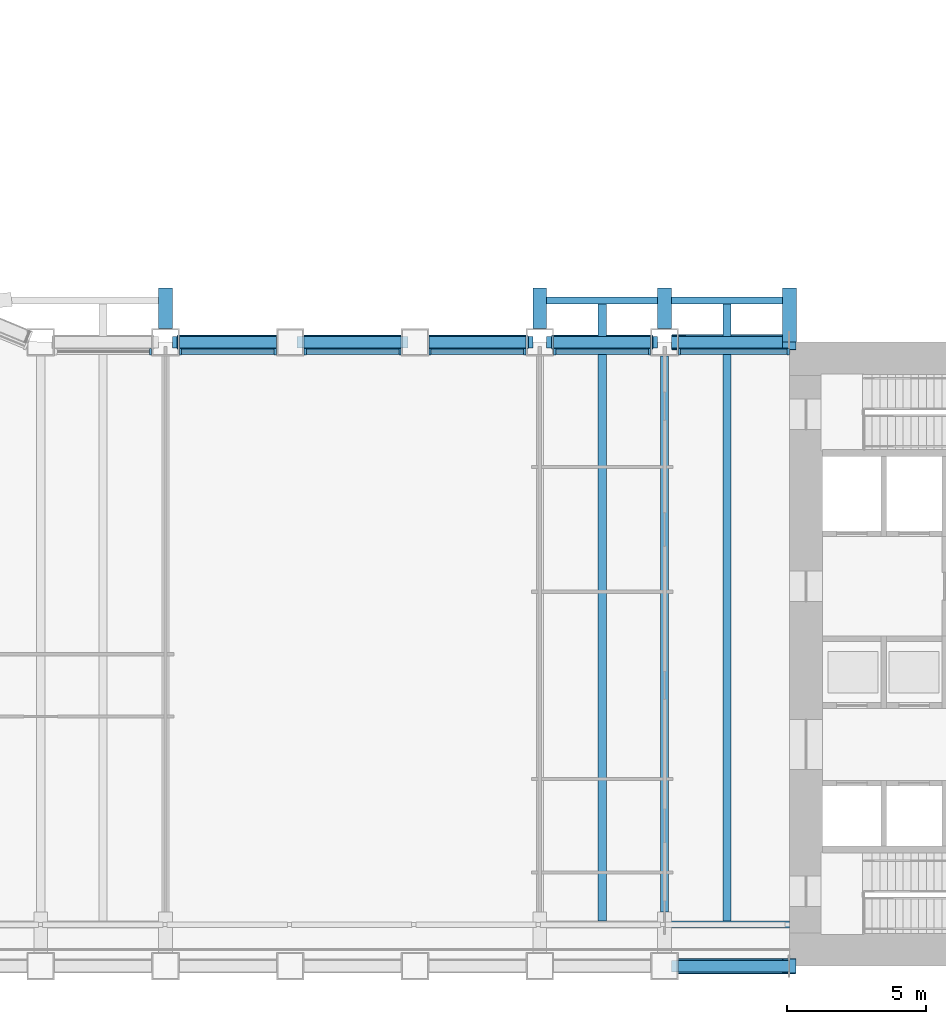
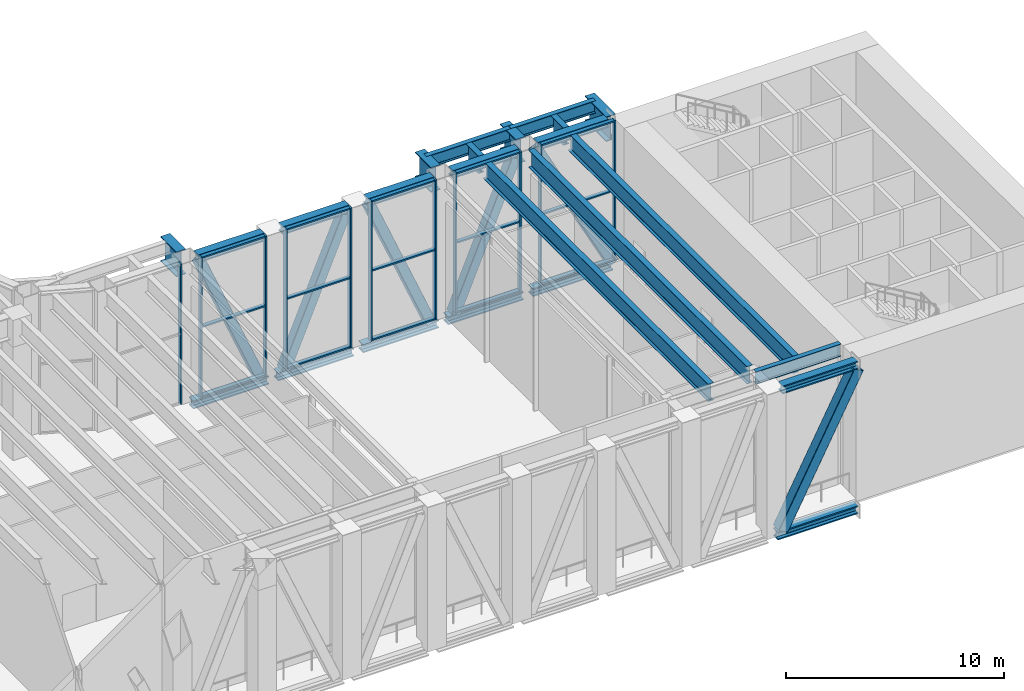
# One storey, part 3 of 21: 44 members, 12 beams, 6 elements without a shape of their own.
"""IFC4 building model written with IfcOpenShell, lengths in metres."""

from ifc_helpers import new_model, si_unit, direction, frame, origin, origin_2d, place, context, subcontext, project, spatial, rectangle, hollow_rectangle, i_section, extrude, material, material_profile, profile_set, type_object, element, aggregate, save


model = new_model("IFC4")

# Units and contexts
model_context = context("Model", 3, precision=1e-05, world=origin(), true_north=direction((0.0, 1.0)))
body_context = subcontext(model_context, "Body", "Model", "MODEL_VIEW")
ifc_project = project(units=[si_unit("LENGTHUNIT", "METRE"), si_unit("AREAUNIT", "SQUARE_METRE"), si_unit("VOLUMEUNIT", "CUBIC_METRE"), si_unit("PLANEANGLEUNIT", "RADIAN"), si_unit("MASSUNIT", "GRAM", prefix="KILO")], contexts=[model_context])

# Site, building, storey
site_placement = place(None, origin())
site = spatial("IfcSite", under=ifc_project, at=site_placement, CompositionType="ELEMENT")
building_placement = place(site_placement, origin())
building = spatial("IfcBuilding", under=site, at=building_placement, Name="Sennacour Bend Tower", CompositionType="ELEMENT")
storey_placement = place(building_placement, frame((0.0, 0.0, 131.0)))
storey = spatial("IfcBuildingStorey", under=building, at=storey_placement, Name="L30", CompositionType="ELEMENT", Elevation=131.0)

# Members
ifc_material_1 = material(Name="Steel ASTM A992 Grade 50", Category="steel")
ifc_material_profile_1 = material_profile(ifc_material_1, i_section(OverallWidth=0.4189453125, OverallDepth=0.455078125, WebThickness=0.042236328125, FlangeThickness=0.067626953125, FilletRadius=0.01513671875, at=origin_2d()), Name="Steel ASTM A992 Grade 50", Category="steel")
ifc_profile_set_1 = profile_set([ifc_material_profile_1], Name="Steel ASTM A992 Grade 50")
member_type_1 = type_object("IfcMemberType", Name="Belt truss chord W360X551", PredefinedType="CHORD", material=ifc_profile_set_1)
for number, where, z_axis, x_axis, name in (
    (1, (31.75, 22.5, -0.4775390625), (1.0, 0.0, 0.0), (0.0, 1.0, 0.0), "Belt truss chord BC L30-009"),
    (2, (36.25, 22.5, -0.4775390625), (1.0, 0.0, 0.0), (0.0, 1.0, 0.0), "Belt truss chord BC L30-010"),
    (3, (40.75, 22.5, -0.4775390625), (1.0, 0.0, 0.0), (0.0, 1.0, 0.0), "Belt truss chord BC L30-011"),
    (4, (45.25, 22.5, -0.4775390625), (1.0, 0.0, 0.0), (0.0, 1.0, 0.0), "Belt truss chord BC L30-012"),
):
    element("IfcMember", number, at=place(storey_placement, frame(where, z_axis=z_axis, x_axis=x_axis)), inside=storey, type_object=member_type_1, Name=name, PredefinedType="CHORD", context=body_context, shape_type="SweptSolid", body=[
        extrude(i_section(OverallWidth=0.4189453125, OverallDepth=0.455078125, WebThickness=0.042236328125, FlangeThickness=0.067626953125, FilletRadius=0.01513671875, at=origin_2d()), origin(), (0.0, 0.0, 1.0), 4.0),
    ])
for number, where, z_axis, x_axis, name in (
    (5, (49.75, 22.5, -0.4775390625), (1.0, 0.0, 0.0), (0.0, 1.0, 0.0), "Belt truss chord BC L30-013"),
    (6, (54.0, 0.0, -0.4775390625), (-1.0, 0.0, 0.0), (0.0, -1.0, 0.0), "Belt truss chord BC L30-014"),
):
    element("IfcMember", number, at=place(storey_placement, frame(where, z_axis=z_axis, x_axis=x_axis)), inside=storey, type_object=member_type_1, Name=name, PredefinedType="CHORD", context=body_context, shape_type="SweptSolid", body=[
        extrude(i_section(OverallWidth=0.4189453125, OverallDepth=0.455078125, WebThickness=0.042236328125, FlangeThickness=0.067626953125, FilletRadius=0.01513671875, at=origin_2d()), origin(), (0.0, 0.0, 1.0), 4.25),
    ])
for number, where, z_axis, x_axis, name in (
    (7, (32.0, 22.5, 7.62255859375), (1.0, 0.0, 0.0), (0.0, 1.0, 0.0), "Belt truss chord BC L30-009"),
    (8, (36.5, 22.5, 7.62255859375), (1.0, 0.0, 0.0), (0.0, 1.0, 0.0), "Belt truss chord BC L30-010"),
    (9, (41.0, 22.5, 7.62255859375), (1.0, 0.0, 0.0), (0.0, 1.0, 0.0), "Belt truss chord BC L30-011"),
    (10, (45.5, 22.5, 7.62255859375), (1.0, 0.0, 0.0), (0.0, 1.0, 0.0), "Belt truss chord BC L30-012"),
):
    element("IfcMember", number, at=place(storey_placement, frame(where, z_axis=z_axis, x_axis=x_axis)), inside=storey, type_object=member_type_1, Name=name, PredefinedType="CHORD", context=body_context, shape_type="SweptSolid", body=[
        extrude(i_section(OverallWidth=0.4189453125, OverallDepth=0.455078125, WebThickness=0.042236328125, FlangeThickness=0.067626953125, FilletRadius=0.01513671875, at=origin_2d()), origin(), (0.0, 0.0, 1.0), 3.5),
    ])
member_1_placement = place(storey_placement, frame((50.0, 22.5, 7.62255859375), z_axis=(1.0, 0.0, 0.0), x_axis=(0.0, 1.0, 0.0)))
element("IfcMember", 11, at=member_1_placement, inside=storey, type_object=member_type_1, Name="Belt truss chord BC L30-013", PredefinedType="CHORD", context=body_context, shape_type="SweptSolid", body=[
    extrude(i_section(OverallWidth=0.4189453125, OverallDepth=0.455078125, WebThickness=0.042236328125, FlangeThickness=0.067626953125, FilletRadius=0.01513671875, at=origin_2d()), origin(), (0.0, 0.0, 1.0), 3.75),
])
member_2_placement = place(storey_placement, frame((54.0, 0.0, 7.62255859375), z_axis=(-1.0, 0.0, 0.0), x_axis=(0.0, -1.0, 0.0)))
element("IfcMember", 12, at=member_2_placement, inside=storey, type_object=member_type_1, Name="Belt truss chord BC L30-014", PredefinedType="CHORD", context=body_context, shape_type="SweptSolid", body=[
    extrude(i_section(OverallWidth=0.4189453125, OverallDepth=0.455078125, WebThickness=0.042236328125, FlangeThickness=0.067626953125, FilletRadius=0.01513671875, at=origin_2d()), origin(), (0.0, 0.0, 1.0), 4.0),
])
ifc_material_2 = material(Name="Steel ASTM A500 Grade C", Category="steel")
ifc_material_profile_2 = material_profile(ifc_material_2, hollow_rectangle(XDim=0.508056640625, YDim=0.508056640625, WallThickness=0.01904296875, InnerFilletRadius=0.01904296875, OuterFilletRadius=0.0380859375, at=origin_2d()), Name="Steel ASTM A500 Grade C", Category="steel")
ifc_profile_set_2 = profile_set([ifc_material_profile_2], Name="Steel ASTM A500 Grade C")
member_type_2 = type_object("IfcMemberType", Name="Belt truss diagonal 508", PredefinedType="BRACE", material=ifc_profile_set_2)
for number, where, z_axis, x_axis, name in (
    (13, (32.14990234375, 22.5, 7.39501953125), (0.386133424753, 0.0, -0.922442940397), (0.0, 1.0, 0.0), "Belt truss diagonal BD L30-007"),
    (14, (36.64990234375, 22.5, -0.25), (0.386133424753, 0.0, 0.922442940397), (0.0, 1.0, 0.0), "Belt truss diagonal BD L30-008"),
    (15, (41.14990234375, 22.5, 7.39501953125), (0.386133424753, 0.0, -0.922442940397), (0.0, 1.0, 0.0), "Belt truss diagonal BD L30-009"),
    (16, (45.64990234375, 22.5, -0.25), (0.386133424753, 0.0, 0.922442940397), (0.0, 1.0, 0.0), "Belt truss diagonal BD L30-010"),
):
    element("IfcMember", number, at=place(storey_placement, frame(where, z_axis=z_axis, x_axis=x_axis)), inside=storey, type_object=member_type_2, Name=name, PredefinedType="BRACE", context=body_context, shape_type="SweptSolid", body=[
        extrude(hollow_rectangle(XDim=0.508056640625, YDim=0.508056640625, WallThickness=0.01904296875, InnerFilletRadius=0.01904296875, OuterFilletRadius=0.0380859375, at=origin_2d()), origin(), (0.0, 0.0, 1.0), 8.287841796875),
    ])

# Curtain wall, member
ifc_material_3 = material(Name="Bronze anodised aluminium curtain wall with clear glass", Category="aluminium")
curtain_wall_type = type_object("IfcCurtainWallType", Name="CURTAIN WALL GARDEN", PredefinedType="NOTDEFINED", material=ifc_material_3)
curtain_wall_1_placement = place(storey_placement, origin())
curtain_wall_1 = element("IfcCurtainWall", 17, at=curtain_wall_1_placement, inside=storey, type_object=curtain_wall_type, Name="Sky garden glass wall L30", PredefinedType="NOTDEFINED")
ifc_material_4 = material(Name="Aluminium 6063-T6", Category="aluminium")
ifc_material_profile_3 = material_profile(ifc_material_4, rectangle(XDim=0.25, YDim=0.080078125, at=origin_2d()), Name="Aluminium 6063-T6", Category="aluminium")
ifc_profile_set_3 = profile_set([ifc_material_profile_3], Name="Aluminium 6063-T6")
member_type_3 = type_object("IfcMemberType", Name="CW-MULLION-250X80", PredefinedType="MULLION", material=ifc_profile_set_3)
member_3_placement = place(storey_placement, frame((30.9599609375, 22.156005859375, 0.0), z_axis=(0.0, 0.0, 1.0), x_axis=(0.0, 1.0, 0.0)))
member_3 = element("IfcMember", 18, at=member_3_placement, type_object=member_type_3, Name="GW6 curtain wall mullion 2", PredefinedType="MULLION", context=body_context, shape_type="SweptSolid", body=[
    extrude(rectangle(XDim=0.25, YDim=0.080078125, at=origin_2d()), origin(), (0.0, 0.0, 1.0), 7.85009765625),
])
aggregate(curtain_wall_1, [member_3])

# Curtain wall, members
curtain_wall_2_placement = place(storey_placement, origin())
curtain_wall_2 = element("IfcCurtainWall", 19, at=curtain_wall_2_placement, inside=storey, type_object=curtain_wall_type, Name="Sky garden glass wall L30", PredefinedType="NOTDEFINED")
member_4_placement = place(storey_placement, frame((32.0400390625, 22.156005859375, 0.0), z_axis=(0.0, 0.0, 1.0), x_axis=(0.0, 1.0, 0.0)))
member_4 = element("IfcMember", 20, at=member_4_placement, type_object=member_type_3, Name="GW6 curtain wall mullion 1", PredefinedType="MULLION", context=body_context, shape_type="SweptSolid", body=[
    extrude(rectangle(XDim=0.25, YDim=0.080078125, at=origin_2d()), origin(), (0.0, 0.0, 1.0), 7.85009765625),
])
member_5_placement = place(storey_placement, frame((35.4599609375, 22.156005859375, 0.0), z_axis=(0.0, 0.0, 1.0), x_axis=(0.0, 1.0, 0.0)))
member_5 = element("IfcMember", 21, at=member_5_placement, type_object=member_type_3, Name="GW6 curtain wall mullion 2", PredefinedType="MULLION", context=body_context, shape_type="SweptSolid", body=[
    extrude(rectangle(XDim=0.25, YDim=0.080078125, at=origin_2d()), origin(), (0.0, 0.0, 1.0), 7.85009765625),
])

curtain_wall_3_placement = place(storey_placement, origin())
curtain_wall_3 = element("IfcCurtainWall", 22, at=curtain_wall_3_placement, inside=storey, type_object=curtain_wall_type, Name="Sky garden glass wall L30", PredefinedType="NOTDEFINED")
member_6_placement = place(storey_placement, frame((36.5400390625, 22.156005859375, 0.0), z_axis=(0.0, 0.0, 1.0), x_axis=(0.0, 1.0, 0.0)))
member_6 = element("IfcMember", 23, at=member_6_placement, type_object=member_type_3, Name="GW6 curtain wall mullion 1", PredefinedType="MULLION", context=body_context, shape_type="SweptSolid", body=[
    extrude(rectangle(XDim=0.25, YDim=0.080078125, at=origin_2d()), origin(), (0.0, 0.0, 1.0), 7.85009765625),
])
member_7_placement = place(storey_placement, frame((39.9599609375, 22.156005859375, 0.0), z_axis=(0.0, 0.0, 1.0), x_axis=(0.0, 1.0, 0.0)))
member_7 = element("IfcMember", 24, at=member_7_placement, type_object=member_type_3, Name="GW6 curtain wall mullion 2", PredefinedType="MULLION", context=body_context, shape_type="SweptSolid", body=[
    extrude(rectangle(XDim=0.25, YDim=0.080078125, at=origin_2d()), origin(), (0.0, 0.0, 1.0), 7.85009765625),
])

curtain_wall_4_placement = place(storey_placement, origin())
curtain_wall_4 = element("IfcCurtainWall", 25, at=curtain_wall_4_placement, inside=storey, type_object=curtain_wall_type, Name="Sky garden glass wall L30", PredefinedType="NOTDEFINED")
member_8_placement = place(storey_placement, frame((41.0400390625, 22.156005859375, 0.0), z_axis=(0.0, 0.0, 1.0), x_axis=(0.0, 1.0, 0.0)))
member_8 = element("IfcMember", 26, at=member_8_placement, type_object=member_type_3, Name="GW6 curtain wall mullion 1", PredefinedType="MULLION", context=body_context, shape_type="SweptSolid", body=[
    extrude(rectangle(XDim=0.25, YDim=0.080078125, at=origin_2d()), origin(), (0.0, 0.0, 1.0), 7.85009765625),
])
member_9_placement = place(storey_placement, frame((44.4599609375, 22.156005859375, 0.0), z_axis=(0.0, 0.0, 1.0), x_axis=(0.0, 1.0, 0.0)))
member_9 = element("IfcMember", 27, at=member_9_placement, type_object=member_type_3, Name="GW6 curtain wall mullion 2", PredefinedType="MULLION", context=body_context, shape_type="SweptSolid", body=[
    extrude(rectangle(XDim=0.25, YDim=0.080078125, at=origin_2d()), origin(), (0.0, 0.0, 1.0), 7.85009765625),
])

curtain_wall_5_placement = place(storey_placement, origin())
curtain_wall_5 = element("IfcCurtainWall", 28, at=curtain_wall_5_placement, inside=storey, type_object=curtain_wall_type, Name="Sky garden glass wall L30", PredefinedType="NOTDEFINED")
member_10_placement = place(storey_placement, frame((45.5400390625, 22.156005859375, 0.0), z_axis=(0.0, 0.0, 1.0), x_axis=(0.0, 1.0, 0.0)))
member_10 = element("IfcMember", 29, at=member_10_placement, type_object=member_type_3, Name="GW6 curtain wall mullion 1", PredefinedType="MULLION", context=body_context, shape_type="SweptSolid", body=[
    extrude(rectangle(XDim=0.25, YDim=0.080078125, at=origin_2d()), origin(), (0.0, 0.0, 1.0), 7.85009765625),
])
member_11_placement = place(storey_placement, frame((48.9599609375, 22.156005859375, 0.0), z_axis=(0.0, 0.0, 1.0), x_axis=(0.0, 1.0, 0.0)))
member_11 = element("IfcMember", 30, at=member_11_placement, type_object=member_type_3, Name="GW6 curtain wall mullion 2", PredefinedType="MULLION", context=body_context, shape_type="SweptSolid", body=[
    extrude(rectangle(XDim=0.25, YDim=0.080078125, at=origin_2d()), origin(), (0.0, 0.0, 1.0), 7.85009765625),
])

curtain_wall_6_placement = place(storey_placement, origin())
curtain_wall_6 = element("IfcCurtainWall", 31, at=curtain_wall_6_placement, inside=storey, type_object=curtain_wall_type, Name="Sky garden glass wall L30", PredefinedType="NOTDEFINED")
member_12_placement = place(storey_placement, frame((50.0400390625, 22.156005859375, 0.0), z_axis=(0.0, 0.0, 1.0), x_axis=(0.0, 1.0, 0.0)))
member_12 = element("IfcMember", 32, at=member_12_placement, type_object=member_type_3, Name="GW6 curtain wall mullion 1", PredefinedType="MULLION", context=body_context, shape_type="SweptSolid", body=[
    extrude(rectangle(XDim=0.25, YDim=0.080078125, at=origin_2d()), origin(), (0.0, 0.0, 1.0), 7.85009765625),
])
member_13_placement = place(storey_placement, frame((53.958984375, 22.156005859375, 0.0), z_axis=(0.0, 0.0, 1.0), x_axis=(0.0, 1.0, 0.0)))
member_13 = element("IfcMember", 33, at=member_13_placement, type_object=member_type_3, Name="GW6 curtain wall mullion 2", PredefinedType="MULLION", context=body_context, shape_type="SweptSolid", body=[
    extrude(rectangle(XDim=0.25, YDim=0.080078125, at=origin_2d()), origin(), (0.0, 0.0, 1.0), 7.85009765625),
])

# Member
ifc_material_profile_4 = material_profile(ifc_material_4, rectangle(XDim=0.199951171875, YDim=0.080078125, at=origin_2d()), Name="Aluminium 6063-T6", Category="aluminium")
ifc_profile_set_4 = profile_set([ifc_material_profile_4], Name="Aluminium 6063-T6")
member_type_4 = type_object("IfcMemberType", Name="CW-TRANSOM-200X80", PredefinedType="USERDEFINED", material=ifc_profile_set_4)
member_14_placement = place(storey_placement, frame((32.080078125, 22.156005859375, 0.0400390625), z_axis=(1.0, 0.0, 0.0), x_axis=(0.0, 1.0, 0.0)))
member_14 = element("IfcMember", 34, at=member_14_placement, type_object=member_type_4, Name="GW6 curtain wall transom 1.1", ObjectType="TRANSOM", PredefinedType="USERDEFINED", context=body_context, shape_type="SweptSolid", body=[
    extrude(rectangle(XDim=0.199951171875, YDim=0.080078125, at=origin_2d()), origin(), (0.0, 0.0, 1.0), 3.33984375),
])

member_15_placement = place(storey_placement, frame((32.080078125, 22.156005859375, 3.925048828125), z_axis=(1.0, 0.0, 0.0), x_axis=(0.0, 1.0, 0.0)))
member_15 = element("IfcMember", 35, at=member_15_placement, type_object=member_type_4, Name="GW6 curtain wall transom 1.2", ObjectType="TRANSOM", PredefinedType="USERDEFINED", context=body_context, shape_type="SweptSolid", body=[
    extrude(rectangle(XDim=0.199951171875, YDim=0.080078125, at=origin_2d()), origin(), (0.0, 0.0, 1.0), 3.33984375),
])

member_16_placement = place(storey_placement, frame((32.080078125, 22.156005859375, 7.81005859375), z_axis=(1.0, 0.0, 0.0), x_axis=(0.0, 1.0, 0.0)))
member_16 = element("IfcMember", 36, at=member_16_placement, type_object=member_type_4, Name="GW6 curtain wall transom 1.3", ObjectType="TRANSOM", PredefinedType="USERDEFINED", context=body_context, shape_type="SweptSolid", body=[
    extrude(rectangle(XDim=0.199951171875, YDim=0.080078125, at=origin_2d()), origin(), (0.0, 0.0, 1.0), 3.33984375),
])

aggregate(curtain_wall_2, [member_4, member_5, member_14, member_15, member_16])

member_17_placement = place(storey_placement, frame((36.580078125, 22.156005859375, 0.0400390625), z_axis=(1.0, 0.0, 0.0), x_axis=(0.0, 1.0, 0.0)))
member_17 = element("IfcMember", 37, at=member_17_placement, type_object=member_type_4, Name="GW6 curtain wall transom 1.1", ObjectType="TRANSOM", PredefinedType="USERDEFINED", context=body_context, shape_type="SweptSolid", body=[
    extrude(rectangle(XDim=0.199951171875, YDim=0.080078125, at=origin_2d()), origin(), (0.0, 0.0, 1.0), 3.33984375),
])

member_18_placement = place(storey_placement, frame((36.580078125, 22.156005859375, 3.925048828125), z_axis=(1.0, 0.0, 0.0), x_axis=(0.0, 1.0, 0.0)))
member_18 = element("IfcMember", 38, at=member_18_placement, type_object=member_type_4, Name="GW6 curtain wall transom 1.2", ObjectType="TRANSOM", PredefinedType="USERDEFINED", context=body_context, shape_type="SweptSolid", body=[
    extrude(rectangle(XDim=0.199951171875, YDim=0.080078125, at=origin_2d()), origin(), (0.0, 0.0, 1.0), 3.33984375),
])

member_19_placement = place(storey_placement, frame((36.580078125, 22.156005859375, 7.81005859375), z_axis=(1.0, 0.0, 0.0), x_axis=(0.0, 1.0, 0.0)))
member_19 = element("IfcMember", 39, at=member_19_placement, type_object=member_type_4, Name="GW6 curtain wall transom 1.3", ObjectType="TRANSOM", PredefinedType="USERDEFINED", context=body_context, shape_type="SweptSolid", body=[
    extrude(rectangle(XDim=0.199951171875, YDim=0.080078125, at=origin_2d()), origin(), (0.0, 0.0, 1.0), 3.33984375),
])

aggregate(curtain_wall_3, [member_6, member_7, member_17, member_18, member_19])

member_20_placement = place(storey_placement, frame((41.080078125, 22.156005859375, 0.0400390625), z_axis=(1.0, 0.0, 0.0), x_axis=(0.0, 1.0, 0.0)))
member_20 = element("IfcMember", 40, at=member_20_placement, type_object=member_type_4, Name="GW6 curtain wall transom 1.1", ObjectType="TRANSOM", PredefinedType="USERDEFINED", context=body_context, shape_type="SweptSolid", body=[
    extrude(rectangle(XDim=0.199951171875, YDim=0.080078125, at=origin_2d()), origin(), (0.0, 0.0, 1.0), 3.33984375),
])

member_21_placement = place(storey_placement, frame((41.080078125, 22.156005859375, 3.925048828125), z_axis=(1.0, 0.0, 0.0), x_axis=(0.0, 1.0, 0.0)))
member_21 = element("IfcMember", 41, at=member_21_placement, type_object=member_type_4, Name="GW6 curtain wall transom 1.2", ObjectType="TRANSOM", PredefinedType="USERDEFINED", context=body_context, shape_type="SweptSolid", body=[
    extrude(rectangle(XDim=0.199951171875, YDim=0.080078125, at=origin_2d()), origin(), (0.0, 0.0, 1.0), 3.33984375),
])

member_22_placement = place(storey_placement, frame((41.080078125, 22.156005859375, 7.81005859375), z_axis=(1.0, 0.0, 0.0), x_axis=(0.0, 1.0, 0.0)))
member_22 = element("IfcMember", 42, at=member_22_placement, type_object=member_type_4, Name="GW6 curtain wall transom 1.3", ObjectType="TRANSOM", PredefinedType="USERDEFINED", context=body_context, shape_type="SweptSolid", body=[
    extrude(rectangle(XDim=0.199951171875, YDim=0.080078125, at=origin_2d()), origin(), (0.0, 0.0, 1.0), 3.33984375),
])

aggregate(curtain_wall_4, [member_8, member_9, member_20, member_21, member_22])

member_23_placement = place(storey_placement, frame((45.580078125, 22.156005859375, 0.0400390625), z_axis=(1.0, 0.0, 0.0), x_axis=(0.0, 1.0, 0.0)))
member_23 = element("IfcMember", 43, at=member_23_placement, type_object=member_type_4, Name="GW6 curtain wall transom 1.1", ObjectType="TRANSOM", PredefinedType="USERDEFINED", context=body_context, shape_type="SweptSolid", body=[
    extrude(rectangle(XDim=0.199951171875, YDim=0.080078125, at=origin_2d()), origin(), (0.0, 0.0, 1.0), 3.33984375),
])

member_24_placement = place(storey_placement, frame((45.580078125, 22.156005859375, 3.925048828125), z_axis=(1.0, 0.0, 0.0), x_axis=(0.0, 1.0, 0.0)))
member_24 = element("IfcMember", 44, at=member_24_placement, type_object=member_type_4, Name="GW6 curtain wall transom 1.2", ObjectType="TRANSOM", PredefinedType="USERDEFINED", context=body_context, shape_type="SweptSolid", body=[
    extrude(rectangle(XDim=0.199951171875, YDim=0.080078125, at=origin_2d()), origin(), (0.0, 0.0, 1.0), 3.33984375),
])

member_25_placement = place(storey_placement, frame((45.580078125, 22.156005859375, 7.81005859375), z_axis=(1.0, 0.0, 0.0), x_axis=(0.0, 1.0, 0.0)))
member_25 = element("IfcMember", 45, at=member_25_placement, type_object=member_type_4, Name="GW6 curtain wall transom 1.3", ObjectType="TRANSOM", PredefinedType="USERDEFINED", context=body_context, shape_type="SweptSolid", body=[
    extrude(rectangle(XDim=0.199951171875, YDim=0.080078125, at=origin_2d()), origin(), (0.0, 0.0, 1.0), 3.33984375),
])

aggregate(curtain_wall_5, [member_10, member_11, member_23, member_24, member_25])

member_26_placement = place(storey_placement, frame((50.080078125, 22.156005859375, 0.0400390625), z_axis=(1.0, 0.0, 0.0), x_axis=(0.0, 1.0, 0.0)))
member_26 = element("IfcMember", 46, at=member_26_placement, type_object=member_type_4, Name="GW6 curtain wall transom 1.1", ObjectType="TRANSOM", PredefinedType="USERDEFINED", context=body_context, shape_type="SweptSolid", body=[
    extrude(rectangle(XDim=0.199951171875, YDim=0.080078125, at=origin_2d()), origin(), (0.0, 0.0, 1.0), 3.8388671875),
])

member_27_placement = place(storey_placement, frame((50.080078125, 22.156005859375, 3.925048828125), z_axis=(1.0, 0.0, 0.0), x_axis=(0.0, 1.0, 0.0)))
member_27 = element("IfcMember", 47, at=member_27_placement, type_object=member_type_4, Name="GW6 curtain wall transom 1.2", ObjectType="TRANSOM", PredefinedType="USERDEFINED", context=body_context, shape_type="SweptSolid", body=[
    extrude(rectangle(XDim=0.199951171875, YDim=0.080078125, at=origin_2d()), origin(), (0.0, 0.0, 1.0), 3.8388671875),
])

member_28_placement = place(storey_placement, frame((50.080078125, 22.156005859375, 7.81005859375), z_axis=(1.0, 0.0, 0.0), x_axis=(0.0, 1.0, 0.0)))
member_28 = element("IfcMember", 48, at=member_28_placement, type_object=member_type_4, Name="GW6 curtain wall transom 1.3", ObjectType="TRANSOM", PredefinedType="USERDEFINED", context=body_context, shape_type="SweptSolid", body=[
    extrude(rectangle(XDim=0.199951171875, YDim=0.080078125, at=origin_2d()), origin(), (0.0, 0.0, 1.0), 3.8388671875),
])

aggregate(curtain_wall_6, [member_12, member_13, member_26, member_27, member_28])

# Beams
ifc_material_profile_5 = material_profile(ifc_material_1, i_section(OverallWidth=0.300048828125, OverallDepth=0.97998046875, WebThickness=0.0166015625, FlangeThickness=0.026123046875, FilletRadius=0.02978515625, at=origin_2d()), Name="Steel ASTM A992 Grade 50", Category="steel")
ifc_profile_set_5 = profile_set([ifc_material_profile_5], Name="Steel ASTM A992 Grade 50")
beam_type_1 = type_object("IfcBeamType", Name="Floor beam W1000X249", PredefinedType="BEAM", material=ifc_profile_set_5)
beam_1_placement = place(storey_placement, frame((47.25, 1.626953125, 7.360107421875), z_axis=(0.0, 1.0, 0.0), x_axis=(-1.0, 0.0, 0.0)))
element("IfcBeam", 49, at=beam_1_placement, inside=storey, type_object=beam_type_1, Name="Floor beam FBM2 L31-025", PredefinedType="BEAM", context=body_context, shape_type="SweptSolid", body=[
    extrude(i_section(OverallWidth=0.300048828125, OverallDepth=0.97998046875, WebThickness=0.0166015625, FlangeThickness=0.026123046875, FilletRadius=0.02978515625, at=origin_2d()), origin(), (0.0, 0.0, 1.0), 20.66357421875),
])
beam_2_placement = place(storey_placement, frame((47.25, 22.70947265625, 7.360107421875), z_axis=(0.0, 1.0, 0.0), x_axis=(-1.0, 0.0, 0.0)))
element("IfcBeam", 50, at=beam_2_placement, inside=storey, type_object=beam_type_1, Name="Floor beam FBM2 L31-026", PredefinedType="BEAM", context=body_context, shape_type="SweptSolid", body=[
    extrude(i_section(OverallWidth=0.300048828125, OverallDepth=0.97998046875, WebThickness=0.0166015625, FlangeThickness=0.026123046875, FilletRadius=0.02978515625, at=origin_2d()), origin(), (0.0, 0.0, 1.0), 1.16357421875),
])
beam_3_placement = place(storey_placement, frame((49.5, 1.949951171875, 7.360107421875), z_axis=(0.0, 1.0, 0.0), x_axis=(-1.0, 0.0, 0.0)))
element("IfcBeam", 51, at=beam_3_placement, inside=storey, type_object=beam_type_1, Name="Floor beam FBM2 L31-027", PredefinedType="BEAM", context=body_context, shape_type="SweptSolid", body=[
    extrude(i_section(OverallWidth=0.300048828125, OverallDepth=0.97998046875, WebThickness=0.0166015625, FlangeThickness=0.026123046875, FilletRadius=0.02978515625, at=origin_2d()), origin(), (0.0, 0.0, 1.0), 20.050048828125),
])
beam_4_placement = place(storey_placement, frame((51.75, 1.626953125, 7.360107421875), z_axis=(0.0, 1.0, 0.0), x_axis=(-1.0, 0.0, 0.0)))
element("IfcBeam", 52, at=beam_4_placement, inside=storey, type_object=beam_type_1, Name="Floor beam FBM2 L31-028", PredefinedType="BEAM", context=body_context, shape_type="SweptSolid", body=[
    extrude(i_section(OverallWidth=0.300048828125, OverallDepth=0.97998046875, WebThickness=0.0166015625, FlangeThickness=0.026123046875, FilletRadius=0.02978515625, at=origin_2d()), origin(), (0.0, 0.0, 1.0), 20.66357421875),
])
beam_5_placement = place(storey_placement, frame((51.75, 22.70947265625, 7.360107421875), z_axis=(0.0, 1.0, 0.0), x_axis=(-1.0, 0.0, 0.0)))
element("IfcBeam", 53, at=beam_5_placement, inside=storey, type_object=beam_type_1, Name="Floor beam FBM2 L31-029", PredefinedType="BEAM", context=body_context, shape_type="SweptSolid", body=[
    extrude(i_section(OverallWidth=0.300048828125, OverallDepth=0.97998046875, WebThickness=0.0166015625, FlangeThickness=0.026123046875, FilletRadius=0.02978515625, at=origin_2d()), origin(), (0.0, 0.0, 1.0), 1.16357421875),
])

# Members
ifc_material_profile_6 = material_profile(ifc_material_2, hollow_rectangle(XDim=0.558837890625, YDim=0.558837890625, WallThickness=0.01904296875, InnerFilletRadius=0.01904296875, OuterFilletRadius=0.0380859375, at=origin_2d()), Name="Steel ASTM A500 Grade C", Category="steel")
ifc_profile_set_6 = profile_set([ifc_material_profile_6], Name="Steel ASTM A500 Grade C")
member_type_5 = type_object("IfcMemberType", Name="Outrigger truss diagonal 559", PredefinedType="BRACE", material=ifc_profile_set_6)
for number, where, z_axis, x_axis, name in (
    (54, (50.0, 22.5, 7.39501953125), (0.463594594388, 0.0, -0.88604743217), (0.0, 1.0, 0.0), "Outrigger truss diagonal OD L30-001"),
    (55, (50.0, 0.0, -0.25), (0.463594594388, 0.0, 0.88604743217), (0.0, 1.0, 0.0), "Outrigger truss diagonal OD L30-002"),
):
    element("IfcMember", number, at=place(storey_placement, frame(where, z_axis=z_axis, x_axis=x_axis)), inside=storey, type_object=member_type_5, Name=name, PredefinedType="BRACE", context=body_context, shape_type="SweptSolid", body=[
        extrude(hollow_rectangle(XDim=0.558837890625, YDim=0.558837890625, WallThickness=0.01904296875, InnerFilletRadius=0.01904296875, OuterFilletRadius=0.0380859375, at=origin_2d()), origin(), (0.0, 0.0, 1.0), 8.628173828125),
    ])

# Beams
ifc_material_profile_7 = material_profile(ifc_material_1, i_section(OverallWidth=0.25390625, OverallDepth=0.700927734375, WebThickness=0.015380859375, FlangeThickness=0.02783203125, FilletRadius=0.015380859375, at=origin_2d()), Name="Steel ASTM A992 Grade 50", Category="steel")
ifc_profile_set_7 = profile_set([ifc_material_profile_7], Name="Steel ASTM A992 Grade 50")
beam_type_2 = type_object("IfcBeamType", Name="Spandrel beam W690X192", PredefinedType="SPANDREL", material=ifc_profile_set_7)
for number, where, z_axis, x_axis, name in (
    (56, (45.014892578125, 24.0, 7.49951171875), (1.0, 0.0, 0.0), (0.0, 1.0, 0.0), "Spandrel beam SP4 L31-002"),
    (57, (49.514892578125, 24.0, 7.49951171875), (1.0, 0.0, 0.0), (0.0, 1.0, 0.0), "Spandrel beam SP4 L31-003"),
):
    element("IfcBeam", number, at=place(storey_placement, frame(where, z_axis=z_axis, x_axis=x_axis)), inside=storey, type_object=beam_type_2, Name=name, PredefinedType="SPANDREL", context=body_context, shape_type="SweptSolid", body=[
        extrude(i_section(OverallWidth=0.25390625, OverallDepth=0.700927734375, WebThickness=0.015380859375, FlangeThickness=0.02783203125, FilletRadius=0.015380859375, at=origin_2d()), origin(), (0.0, 0.0, 1.0), 4.47021484375),
    ])
beam_6_placement = place(storey_placement, frame((54.0, 1.5, 7.49951171875), z_axis=(-1.0, 0.0, 0.0), x_axis=(0.0, -1.0, 0.0)))
element("IfcBeam", 58, at=beam_6_placement, inside=storey, type_object=beam_type_2, Name="Spandrel beam SP4 L31-004", PredefinedType="SPANDREL", context=body_context, shape_type="SweptSolid", body=[
    extrude(i_section(OverallWidth=0.25390625, OverallDepth=0.700927734375, WebThickness=0.015380859375, FlangeThickness=0.02783203125, FilletRadius=0.015380859375, at=origin_2d()), origin(), (0.0, 0.0, 1.0), 4.485107421875),
])
ifc_material_5 = material(Name="Steel ASTM A572 Grade 50", Category="steel")
ifc_material_profile_8 = material_profile(ifc_material_5, i_section(OverallWidth=0.5, OverallDepth=1.39990234375, WebThickness=0.030029296875, FlangeThickness=0.054931640625, at=origin_2d()), Name="Steel ASTM A572 Grade 50", Category="steel")
ifc_profile_set_8 = profile_set([ifc_material_profile_8], Name="Steel ASTM A572 Grade 50")
beam_type_3 = type_object("IfcBeamType", Name="Transfer stub 1400", PredefinedType="USERDEFINED", material=ifc_profile_set_8)
for number, where, z_axis, x_axis, name in (
    (59, (31.5, 23.0, 7.14990234375), (0.0, 1.0, 0.0), (-1.0, 0.0, 0.0), "Transfer beam TS L31-012"),
    (60, (45.0, 23.0, 7.14990234375), (0.0, 1.0, 0.0), (-1.0, 0.0, 0.0), "Transfer beam TS L31-014"),
    (61, (49.5, 23.0, 7.14990234375), (0.0, 1.0, 0.0), (-1.0, 0.0, 0.0), "Transfer beam TS L31-016"),
):
    element("IfcBeam", number, at=place(storey_placement, frame(where, z_axis=z_axis, x_axis=x_axis)), inside=storey, type_object=beam_type_3, Name=name, ObjectType="TRANSFER BEAM", PredefinedType="USERDEFINED", context=body_context, shape_type="SweptSolid", body=[
        extrude(i_section(OverallWidth=0.5, OverallDepth=1.39990234375, WebThickness=0.030029296875, FlangeThickness=0.054931640625, at=origin_2d()), origin(), (0.0, 0.0, 1.0), 1.449951171875),
    ])
beam_7_placement = place(storey_placement, frame((54.0, 22.5, 7.14990234375), z_axis=(0.0, 1.0, 0.0), x_axis=(-1.0, 0.0, 0.0)))
element("IfcBeam", 62, at=beam_7_placement, inside=storey, type_object=beam_type_3, Name="Transfer beam TS L31-017", ObjectType="TRANSFER BEAM", PredefinedType="USERDEFINED", context=body_context, shape_type="SweptSolid", body=[
    extrude(i_section(OverallWidth=0.5, OverallDepth=1.39990234375, WebThickness=0.030029296875, FlangeThickness=0.054931640625, at=origin_2d()), origin(), (0.0, 0.0, 1.0), 1.949951171875),
])

save(model, "model.ifc")
